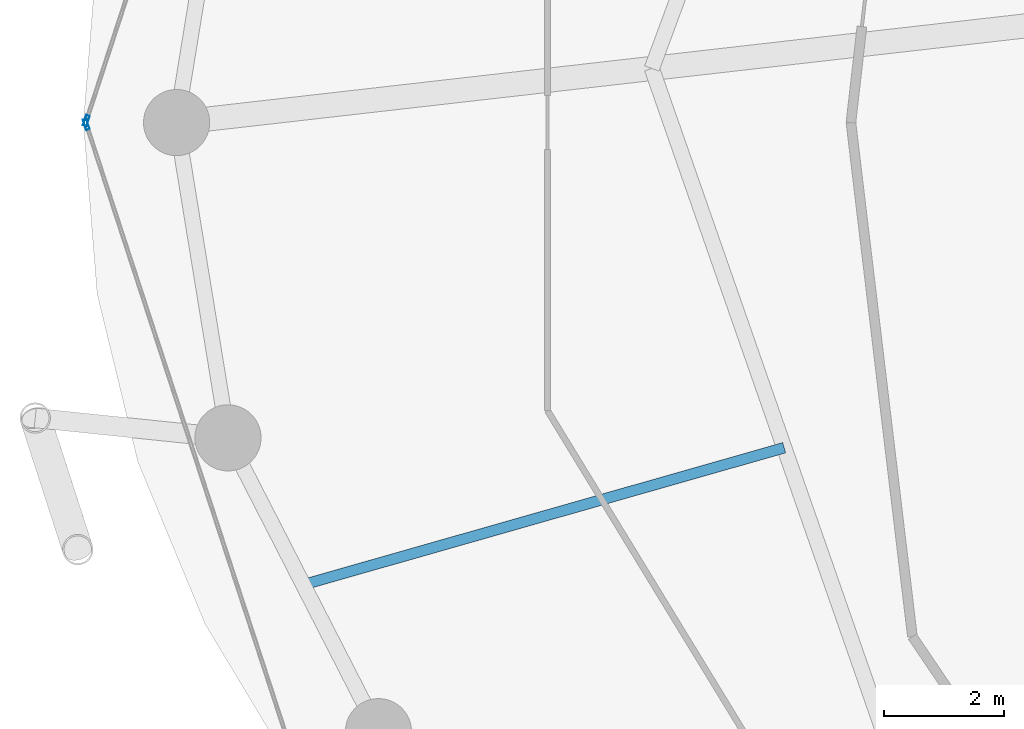
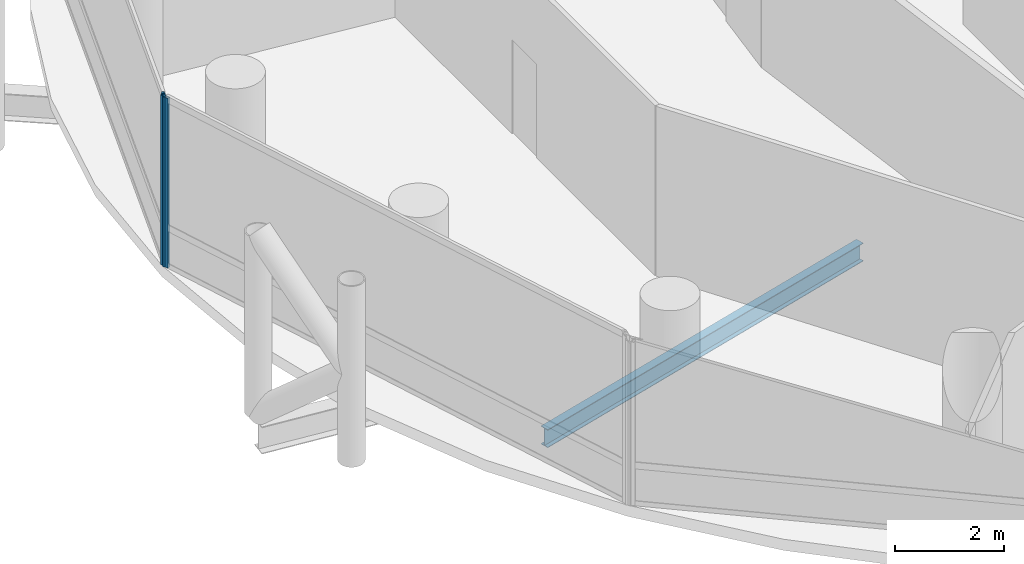
# One storey, part 6 of 25: 2 members, 1 beam, 2 elements without a shape of their own.
"""IFC4 building model written with IfcOpenShell, lengths in metres."""

from ifc_helpers import new_model, si_unit, direction, frame, origin, origin_2d, place, context, subcontext, project, spatial, hollow_rectangle, i_section, extrude, material, layer, layer_set, material_profile, profile_set, type_object, element, aggregate, save


model = new_model("IFC4")

# Units and contexts
model_context = context("Model", 3, precision=1e-05, world=origin(), true_north=direction((0.0, 1.0)))
body_context = subcontext(model_context, "Body", "Model", "MODEL_VIEW")
ifc_project = project(units=[si_unit("LENGTHUNIT", "METRE"), si_unit("AREAUNIT", "SQUARE_METRE"), si_unit("VOLUMEUNIT", "CUBIC_METRE"), si_unit("PLANEANGLEUNIT", "RADIAN"), si_unit("MASSUNIT", "GRAM", prefix="KILO")], contexts=[model_context])

# Site, building, storey
site_placement = place(None, origin())
site = spatial("IfcSite", under=ifc_project, at=site_placement, CompositionType="ELEMENT")
building_placement = place(site_placement, origin())
building = spatial("IfcBuilding", under=site, at=building_placement, Name="Nuhasar Tower", CompositionType="ELEMENT")
storey_placement = place(building_placement, frame((0.0, 0.0, 57.449951171875)))
storey = spatial("IfcBuildingStorey", under=building, at=storey_placement, Name="L13", CompositionType="ELEMENT", Elevation=57.449951171875)

# Beam
ifc_material_1 = material(Name="Steel S355", Category="steel")
ifc_material_profile_1 = material_profile(ifc_material_1, i_section(OverallWidth=0.177978515625, OverallDepth=0.406005859375, WebThickness=0.0078125, FlangeThickness=0.0126953125, at=origin_2d()), Name="W16X40")
ifc_profile_set_1 = profile_set([ifc_material_profile_1], Name="Steel S355")
beam_type = type_object("IfcBeamType", Name="BM-JST-W16X40", PredefinedType="JOIST", material=ifc_profile_set_1)
beam_placement = place(storey_placement, frame((24.051025390625, 21.39501953125, -0.452880859375), z_axis=(-0.961730884496, -0.273995813484, 0.0), x_axis=(0.273995813484, -0.961730884496, 0.0)))
element("IfcBeam", 1, at=beam_placement, inside=storey, type_object=beam_type, Name="L13 Secondary Floor Joist 08", PredefinedType="JOIST", context=body_context, shape_type="SweptSolid", body=[
    extrude(i_section(OverallWidth=0.177978515625, OverallDepth=0.406005859375, WebThickness=0.0078125, FlangeThickness=0.0126953125, at=origin_2d()), origin(), (0.0, 0.0, 1.0), 8.314208984375),
])

# Curtain wall, member
ifc_material_2 = material(Name="Aluminium 6063-T6", Category="aluminium")
ifc_layer = layer(ifc_material_2, 0.199951171875)
ifc_layer_set = layer_set([ifc_layer], Name="Aluminium 6063-T6")
curtain_wall_type = type_object("IfcCurtainWallType", Name="CW-Z1-OFF", PredefinedType="NOTDEFINED", material=ifc_layer_set)
curtain_wall_1_placement = place(storey_placement, origin())
curtain_wall_1 = element("IfcCurtainWall", 2, at=curtain_wall_1_placement, inside=storey, type_object=curtain_wall_type, Name="L13 Unitised Curtain Wall 06", PredefinedType="NOTDEFINED")
ifc_material_profile_2 = material_profile(ifc_material_2, hollow_rectangle(XDim=0.06494140625, YDim=0.179931640625, WallThickness=0.0048828125, at=origin_2d()), Name="CWM-2")
ifc_profile_set_2 = profile_set([ifc_material_profile_2], Name="Aluminium 6063-T6")
member_type = type_object("IfcMemberType", Name="CW-MUL-S2", PredefinedType="MULLION", material=ifc_profile_set_2)
member_1_placement = place(storey_placement, frame((12.4501953125, 26.830810546875, 0.0), z_axis=(0.0, 0.0, 1.0), x_axis=(0.950467534571, -0.310823849997, 0.0)))
member_1 = element("IfcMember", 3, at=member_1_placement, type_object=member_type, Name="CW-Z1 mullion 2", PredefinedType="MULLION", context=body_context, shape_type="SweptSolid", body=[
    extrude(hollow_rectangle(XDim=0.06494140625, YDim=0.179931640625, WallThickness=0.0048828125, at=origin_2d()), origin(), (0.0, 0.0, 1.0), 3.800048828125),
])
aggregate(curtain_wall_1, [member_1])

curtain_wall_2_placement = place(storey_placement, origin())
curtain_wall_2 = element("IfcCurtainWall", 4, at=curtain_wall_2_placement, inside=storey, type_object=curtain_wall_type, Name="L13 Unitised Curtain Wall 07", PredefinedType="NOTDEFINED")
member_2_placement = place(storey_placement, frame((12.4501953125, 26.76904296875, 0.0), z_axis=(0.0, 0.0, 1.0), x_axis=(0.950467534571, 0.310823849997, 0.0)))
member_2 = element("IfcMember", 5, at=member_2_placement, type_object=member_type, Name="CW-Z1 mullion 1", PredefinedType="MULLION", context=body_context, shape_type="SweptSolid", body=[
    extrude(hollow_rectangle(XDim=0.06494140625, YDim=0.179931640625, WallThickness=0.0048828125, at=origin_2d()), origin(), (0.0, 0.0, 1.0), 3.800048828125),
])
aggregate(curtain_wall_2, [member_2])

save(model, "model.ifc")
